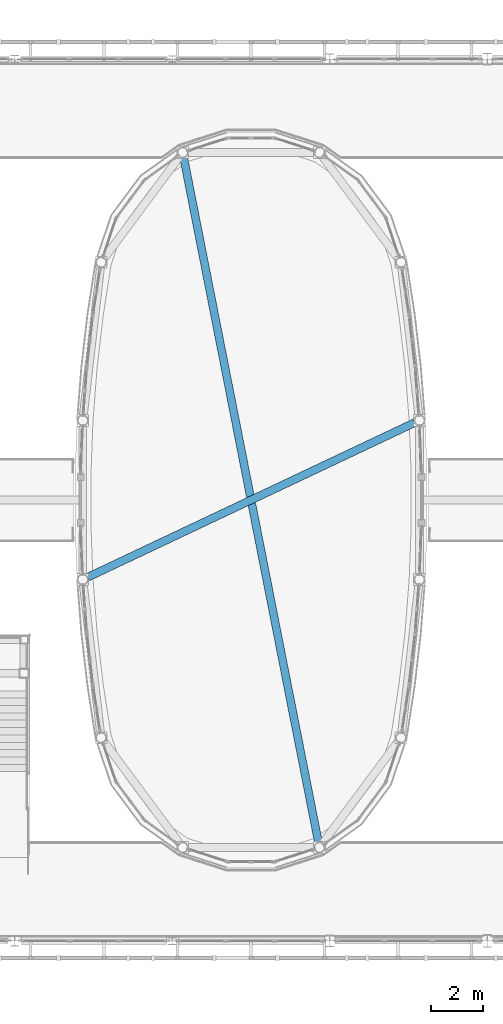
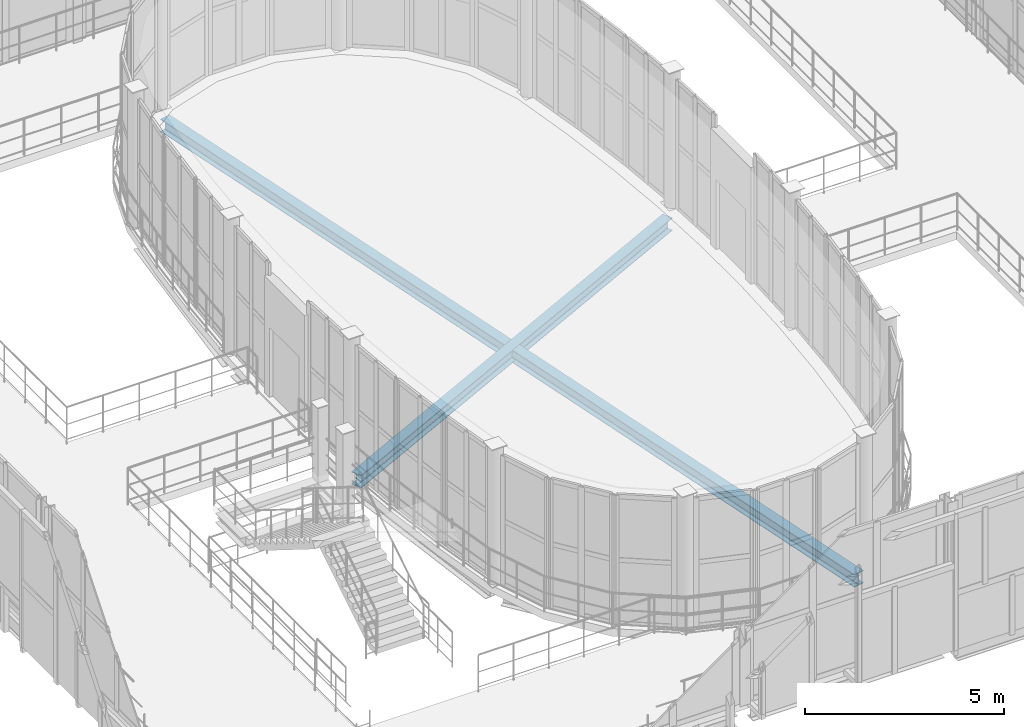
# One storey, part 46 of 121: 2 beams.
"""IFC4 building model written with IfcOpenShell, lengths in metres."""

import ifcopenshell
import ifcopenshell.guid

model = None  # the IFC model being written
_history = None  # IfcOwnerHistory: only IFC2X3 demands one
_inside = {}  # id of a spatial element -> (the spatial element, [elements in it])
_under = {}  # id of a project, library or spatial element -> (it, [spatial elements below it])
_declared = {}  # id of a project -> (the project, [libraries it declares])
_typed = {}  # id of a type object -> (the type object, [elements of that type])
_made_of = {}  # id of a material, layer set ... -> (it, [elements and type objects made of it])


def new_model(schema):
    """Start an empty IFC model of exactly this schema.

    Asked for "IFC4X3", IfcOpenShell would pick the latest addendum, in which some entities
    have other attributes; the version numbers below select the first issue.
    IFC2X3 requires an IfcOwnerHistory on every rooted entity: one is made here for all.
    """
    global model, _history
    if schema == "IFC4X3":
        model = ifcopenshell.file(schema_version=(4, 3, 0, 0))
    else:
        model = ifcopenshell.file(schema=schema)
    _inside.clear()
    _under.clear()
    _declared.clear()
    _typed.clear()
    _made_of.clear()
    _history = None
    if model.schema == "IFC2X3":
        org = make("IfcOrganization", Name="unknown")
        user = make(
            "IfcPersonAndOrganization",
            ThePerson=make("IfcPerson", FamilyName="unknown"),
            TheOrganization=org,
        )
        app = make(
            "IfcApplication",
            ApplicationDeveloper=org,
            Version="unknown",
            ApplicationFullName="unknown",
            ApplicationIdentifier="unknown",
        )
        _history = make(
            "IfcOwnerHistory",
            OwningUser=user,
            OwningApplication=app,
            ChangeAction="ADDED",
            CreationDate=0,
        )
    return model


def make(cls, **values):
    """One entity of the class cls with the attributes given. An attribute that is None is left unset."""
    return model.create_entity(
        cls, **{name: value for name, value in values.items() if value is not None}
    )


def rooted(cls, **values):
    """An entity with a GlobalId (a new one), such as an element, a storey or a relation."""
    return make(cls, GlobalId=ifcopenshell.guid.new(), OwnerHistory=_history, **values)


def si_unit(unit_type, name, prefix=None):
    """IfcSIUnit, for example si_unit("LENGTHUNIT", "METRE", prefix="MILLI")."""
    return make("IfcSIUnit", UnitType=unit_type, Prefix=prefix, Name=name)


def assignment(units):
    """IfcUnitAssignment: the units of a project."""
    return None if units is None else make("IfcUnitAssignment", Units=units)


def point(xyz):
    """IfcCartesianPoint."""
    return None if xyz is None else make("IfcCartesianPoint", Coordinates=xyz)


def direction(xyz):
    """IfcDirection."""
    return None if xyz is None else make("IfcDirection", DirectionRatios=xyz)


def frame(location, z_axis=None, x_axis=None):
    """IfcAxis2Placement3D, a coordinate frame: its origin and axes. An axis left out is left unset."""
    return make(
        "IfcAxis2Placement3D",
        Location=point(location),
        Axis=direction(z_axis),
        RefDirection=direction(x_axis),
    )


def frame_2d(location, x_axis=None):
    """IfcAxis2Placement2D, a coordinate frame in the plane: its origin and x axis."""
    return make(
        "IfcAxis2Placement2D", Location=point(location), RefDirection=direction(x_axis)
    )


def origin():
    """The frame at (0, 0, 0) with its axes left unset."""
    return frame((0.0, 0.0, 0.0))


def origin_2d():
    """The frame at (0, 0) in the plane with its x axis left unset."""
    return frame_2d((0.0, 0.0))


def place(relative_to, where):
    """IfcLocalPlacement: puts the frame where relative to a parent placement (None: the world)."""
    return make(
        "IfcLocalPlacement", PlacementRelTo=relative_to, RelativePlacement=where
    )


def context(
    kind, dimensions, precision=None, world=None, true_north=None, identifier=None
):
    """IfcGeometricRepresentationContext, for example the 3D "Model" context."""
    return make(
        "IfcGeometricRepresentationContext",
        ContextIdentifier=identifier,
        ContextType=kind,
        CoordinateSpaceDimension=dimensions,
        Precision=precision,
        WorldCoordinateSystem=world,
        TrueNorth=true_north,
    )


def subcontext(parent, identifier, kind, view, scale=None):
    """IfcGeometricRepresentationSubContext, for example "Body" below "Model"."""
    return make(
        "IfcGeometricRepresentationSubContext",
        ContextIdentifier=identifier,
        ContextType=kind,
        ParentContext=parent,
        TargetScale=scale,
        TargetView=view,
    )


def project(units=None, contexts=None):
    """IfcProject with its units and contexts."""
    return rooted(
        "IfcProject",
        Name="project",
        RepresentationContexts=contexts,
        UnitsInContext=assignment(units),
    )


def spatial(cls, under=None, at=None, **own):
    """A site, building, storey or space (cls), placed at a placement, below another one or the project."""
    s = rooted(cls, ObjectPlacement=at, **own)
    if under is not None:
        _under.setdefault(under.id(), (under, []))[1].append(s)
    return s


def profile(cls, at=None, kind="AREA", **sizes):
    """A parametric profile (cls). Its sizes go by their IFC names, for example OverallWidth=200.0."""
    return make(cls, ProfileType=kind, Position=at, **sizes)


def i_section(**sizes):
    """IfcIShapeProfileDef."""
    return profile("IfcIShapeProfileDef", **sizes)


def extrude(swept, where, along, depth):
    """IfcExtrudedAreaSolid: the profile swept, set in the frame where, extruded along a direction by depth."""
    return make(
        "IfcExtrudedAreaSolid",
        SweptArea=swept,
        Position=where,
        ExtrudedDirection=direction(along),
        Depth=depth,
    )


def shape(context_of_items, identifier, shape_type, items):
    """IfcShapeRepresentation: the items that make up one representation, for example the "Body"."""
    return make(
        "IfcShapeRepresentation",
        ContextOfItems=context_of_items,
        RepresentationIdentifier=identifier,
        RepresentationType=shape_type,
        Items=items,
    )


def material(Name=None, Category=None):
    """IfcMaterial."""
    return make("IfcMaterial", Name=Name, Category=Category)


def material_profile(
    of_material, cross_section, Name=None, Category=None, Priority=None
):
    """IfcMaterialProfile: a cross section and its material."""
    return make(
        "IfcMaterialProfile",
        Name=Name,
        Material=of_material,
        Profile=cross_section,
        Priority=Priority,
        Category=Category,
    )


def profile_set(profiles, Name=None, composite=None):
    """IfcMaterialProfileSet."""
    return make(
        "IfcMaterialProfileSet",
        Name=Name,
        MaterialProfiles=profiles,
        CompositeProfile=composite,
    )


def made_of(thing, what):
    """Note that an element or type object is made of a material, layer set ...; save() writes the relation."""
    if what is not None:
        _made_of.setdefault(what.id(), (what, []))[1].append(thing)
    return thing


def type_object(cls, material=None, **own):
    """A type object (cls), such as IfcWallType, which elements share."""
    return made_of(rooted(cls, **own), material)


def element(
    cls,
    number,
    at=None,
    inside=None,
    cuts=None,
    type_object=None,
    material=None,
    context=None,
    identifier="Body",
    shape_type=None,
    held_by="IfcProductDefinitionShape",
    body=None,
    shapes=None,
    **own,
):
    """One element of the class cls, such as IfcWall. Its Tag is "e" and its number.

    at: its placement. inside: the storey or other place that contains it. cuts: it is an
    opening in that element (IfcRelVoidsElement). A single representation is given by context,
    identifier, shape_type and body (its items); several are given by shapes. held_by: the class
    of the entity that holds the representations. save() writes the other relations.
    """
    e = rooted(cls, Tag="e%d" % number, ObjectPlacement=at, **own)
    if body is not None:
        shapes = [shape(context, identifier, shape_type, body)]
    if shapes is not None:
        e.Representation = make(held_by, Representations=shapes)
    if inside is not None:
        _inside.setdefault(inside.id(), (inside, []))[1].append(e)
    if cuts is not None:
        rooted(
            "IfcRelVoidsElement", RelatingBuildingElement=cuts, RelatedOpeningElement=e
        )
    if type_object is not None:
        _typed.setdefault(type_object.id(), (type_object, []))[1].append(e)
    return made_of(e, material)


def aggregate(whole, parts):
    """IfcRelAggregates: a whole, such as a stair, and the parts it consists of."""
    return rooted("IfcRelAggregates", RelatingObject=whole, RelatedObjects=parts)


def save(model, path):
    """Write the relations noted so far, then the file.

    IfcRelAggregates (storeys below a building ...), IfcRelContainedInSpatialStructure (elements
    in a storey), IfcRelDefinesByType, IfcRelAssociatesMaterial and IfcRelDeclares: one each for
    every whole, place, type object, material and project.
    """
    for whole, parts in _under.values():
        aggregate(whole, parts)
    for where, things in _inside.values():
        rooted(
            "IfcRelContainedInSpatialStructure",
            RelatedElements=things,
            RelatingStructure=where,
        )
    for kind, things in _typed.values():
        rooted("IfcRelDefinesByType", RelatedObjects=things, RelatingType=kind)
    for what, things in _made_of.values():
        rooted("IfcRelAssociatesMaterial", RelatedObjects=things, RelatingMaterial=what)
    for by, libraries in _declared.values():
        rooted("IfcRelDeclares", RelatingContext=by, RelatedDefinitions=libraries)
    model.write(path)


model = new_model("IFC4")

# Units and contexts
model_context = context("Model", 3, precision=1e-05, world=origin(), true_north=direction((0.0, 1.0)))
body_context = subcontext(model_context, "Body", "Model", "MODEL_VIEW")
ifc_project = project(units=[si_unit("LENGTHUNIT", "METRE"), si_unit("AREAUNIT", "SQUARE_METRE"), si_unit("VOLUMEUNIT", "CUBIC_METRE"), si_unit("PLANEANGLEUNIT", "RADIAN"), si_unit("MASSUNIT", "GRAM", prefix="KILO")], contexts=[model_context])

# Site, building, storey
site_placement = place(None, origin())
site = spatial("IfcSite", under=ifc_project, at=site_placement, CompositionType="ELEMENT")
building_placement = place(site_placement, origin())
building = spatial("IfcBuilding", under=site, at=building_placement, Name="Vinh Khe Railworks Police Headquarters", CompositionType="ELEMENT")
storey_placement = place(building_placement, frame((0.0, 0.0, 4.800048828125)))
storey = spatial("IfcBuildingStorey", under=building, at=storey_placement, Name="L01", CompositionType="ELEMENT", Elevation=4.800048828125)

# Beams
ifc_material = material(Name="Steel S355JR", Category="steel")
ifc_material_profile = material_profile(ifc_material, i_section(OverallWidth=0.300048828125, OverallDepth=0.389892578125, WebThickness=0.010986328125, FlangeThickness=0.01904296875, FilletRadius=0.027099609375, at=origin_2d()), Name="HEA 400")
ifc_profile_set = profile_set([ifc_material_profile], Name="Steel S355JR")
beam_type = type_object("IfcBeamType", Name="Steel Girder HEA 400", PredefinedType="BEAM", material=ifc_profile_set)
beam_1_placement = place(storey_placement, frame((36.97607421875, 39.056884765625, -0.43505859375), z_axis=(0.904020691717, 0.427488700374, 0.0), x_axis=(-0.427488700374, 0.904020691717, 0.0)))
element("IfcBeam", 1, at=beam_1_placement, inside=storey, type_object=beam_type, Name="Drum Radial Girder 0727", PredefinedType="BEAM", context=body_context, shape_type="SweptSolid", body=[
    extrude(i_section(OverallWidth=0.300048828125, OverallDepth=0.389892578125, WebThickness=0.010986328125, FlangeThickness=0.01904296875, FilletRadius=0.027099609375, at=origin_2d()), origin(), (0.0, 0.0, 1.0), 13.769287109375),
])
beam_2_placement = place(storey_placement, frame((45.764892578125, 28.967041015625, -0.43505859375), z_axis=(-0.193091335347, 0.981180786713, 0.0), x_axis=(-0.981180786713, -0.193091335347, 0.0)))
element("IfcBeam", 2, at=beam_2_placement, inside=storey, type_object=beam_type, Name="Drum Radial Girder 0728", PredefinedType="BEAM", context=body_context, shape_type="SweptSolid", body=[
    extrude(i_section(OverallWidth=0.300048828125, OverallDepth=0.389892578125, WebThickness=0.010986328125, FlangeThickness=0.01904296875, FilletRadius=0.027099609375, at=origin_2d()), origin(), (0.0, 0.0, 1.0), 26.56591796875),
])

save(model, "model.ifc")
